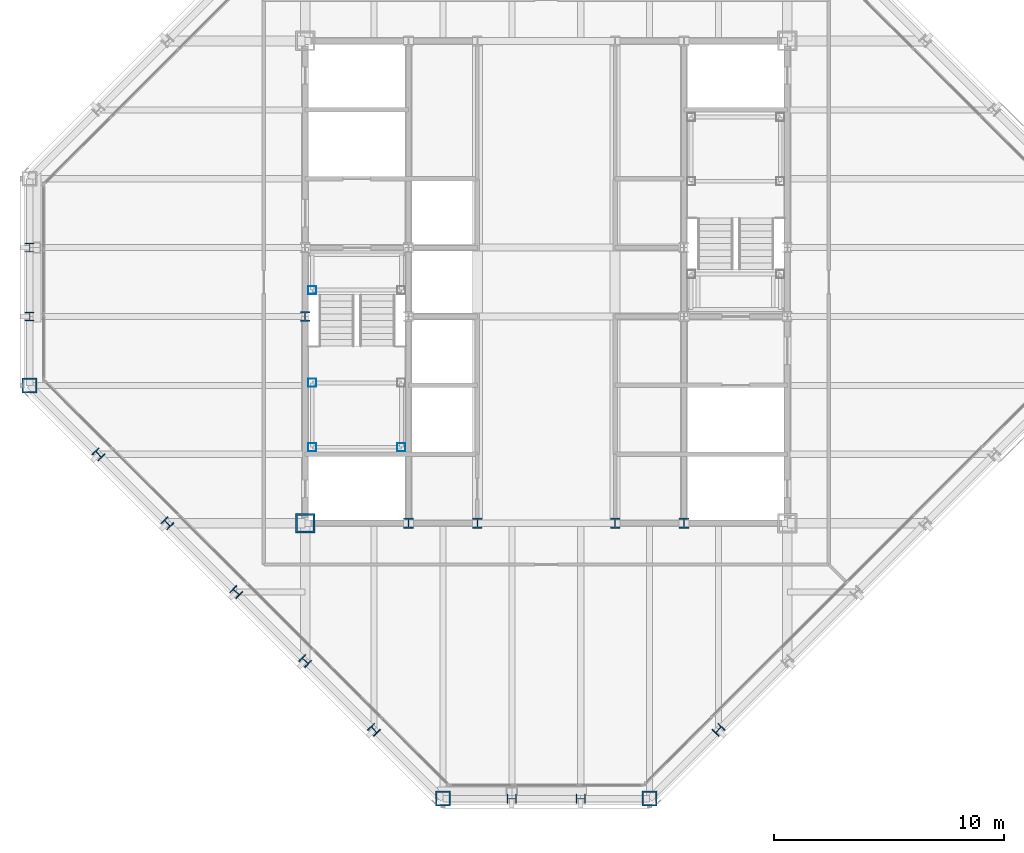
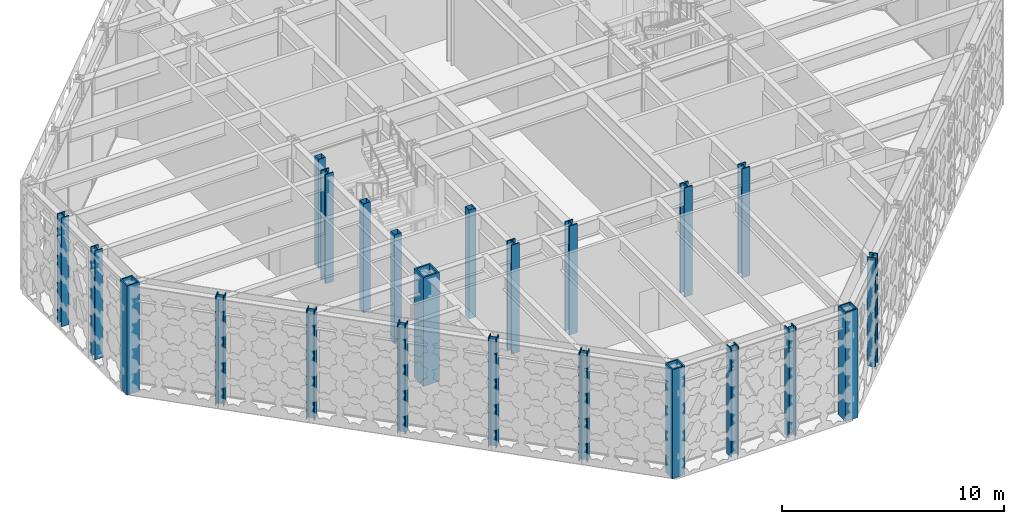
# One storey, part 1 of 28: 23 columns.
"""IFC4 building model written with IfcOpenShell, lengths in metres."""

from ifc_helpers import new_model, si_unit, direction, frame, origin, origin_2d, place, context, subcontext, project, spatial, hollow_rectangle, i_section, extrude, material, material_profile, profile_set, type_object, element, save


model = new_model("IFC4")

# Units and contexts
model_context = context("Model", 3, precision=1e-05, world=origin(), true_north=direction((0.0, 1.0)))
body_context = subcontext(model_context, "Body", "Model", "MODEL_VIEW")
ifc_project = project(units=[si_unit("LENGTHUNIT", "METRE"), si_unit("AREAUNIT", "SQUARE_METRE"), si_unit("VOLUMEUNIT", "CUBIC_METRE"), si_unit("PLANEANGLEUNIT", "RADIAN"), si_unit("MASSUNIT", "GRAM", prefix="KILO")], contexts=[model_context])

# Site, building, storey
site_placement = place(None, origin())
site = spatial("IfcSite", under=ifc_project, at=site_placement, CompositionType="ELEMENT")
building_placement = place(site_placement, origin())
building = spatial("IfcBuilding", under=site, at=building_placement, Name="Chuquiago Exchange Tower", CompositionType="ELEMENT")
storey_placement = place(building_placement, frame((0.0, 0.0, 300.0)))
storey = spatial("IfcBuildingStorey", under=building, at=storey_placement, Name="L67", CompositionType="ELEMENT", Elevation=300.0)

# Columns
ifc_material_1 = material(Name="Steel ASTM A992", Category="steel")
ifc_material_profile_1 = material_profile(ifc_material_1, i_section(OverallWidth=0.4013671875, OverallDepth=0.398681640625, WebThickness=0.02490234375, FlangeThickness=0.03955078125, at=origin_2d()), Name="W14X211")
ifc_profile_set_1 = profile_set([ifc_material_profile_1], Name="Steel ASTM A992")
column_type_1 = type_object("IfcColumnType", Name="C9 W14X211", PredefinedType="COLUMN", material=ifc_profile_set_1)
for number, where, z_axis, x_axis, name in (
    (1, (21.0, 0.0, 0.0), (0.0, 0.0, 1.0), (0.0, -1.0, 0.0), "COL-L67-21_0"),
    (2, (24.0, 0.0, 0.0), (0.0, 0.0, 1.0), (0.0, -1.0, 0.0), "COL-L67-24_0"),
    (3, (0.0, 24.0, 0.0), (0.0, 0.0, 1.0), (-1.0, 0.0, 0.0), "COL-L67-0_24"),
    (4, (0.0, 21.0, 0.0), (0.0, 0.0, 1.0), (-1.0, 0.0, 0.0), "COL-L67-0_21"),
):
    element("IfcColumn", number, at=place(storey_placement, frame(where, z_axis=z_axis, x_axis=x_axis)), inside=storey, type_object=column_type_1, Name=name, PredefinedType="COLUMN", context=body_context, shape_type="SweptSolid", body=[
        extrude(i_section(OverallWidth=0.4013671875, OverallDepth=0.398681640625, WebThickness=0.02490234375, FlangeThickness=0.03955078125, at=origin_2d()), origin(), (0.0, 0.0, 1.0), 6.0),
    ])
ifc_material_2 = material(Name="Steel ASTM A572 Grade 50", Category="steel")
ifc_material_profile_2 = material_profile(ifc_material_2, hollow_rectangle(XDim=0.85009765625, YDim=0.85009765625, WallThickness=0.0849609375, at=origin_2d()), Name="BOX850X850X85")
ifc_profile_set_2 = profile_set([ifc_material_profile_2], Name="Steel ASTM A572 Grade 50")
column_type_2 = type_object("IfcColumnType", Name="CC6 BOX850X850X85", PredefinedType="COLUMN", material=ifc_profile_set_2)
column_placement = place(storey_placement, frame((12.0, 12.0, 0.0), z_axis=(0.0, 0.0, 1.0), x_axis=(1.0, 0.0, 0.0)))
element("IfcColumn", 5, at=column_placement, inside=storey, type_object=column_type_2, Name="CCOL-L67-12_12", PredefinedType="COLUMN", context=body_context, shape_type="SweptSolid", body=[
    extrude(hollow_rectangle(XDim=0.85009765625, YDim=0.85009765625, WallThickness=0.0849609375, at=origin_2d()), origin(), (0.0, 0.0, 1.0), 6.0),
])
ifc_material_3 = material(Name="Steel ASTM A992", Category="steel")
ifc_material_profile_3 = material_profile(ifc_material_3, i_section(OverallWidth=0.41650390625, OverallDepth=0.444580078125, WebThickness=0.0390625, FlangeThickness=0.062744140625, at=origin_2d()), Name="W14X342")
ifc_profile_set_3 = profile_set([ifc_material_profile_3], Name="Steel ASTM A992")
column_type_3 = type_object("IfcColumnType", Name="CC9 W14X342", PredefinedType="COLUMN", material=ifc_profile_set_3)
for number, where, z_axis, x_axis, name in (
    (6, (16.5, 12.0, 0.0), (0.0, 0.0, 1.0), (1.0, 0.0, 0.0), "CCOL-L67-16.5_12"),
    (7, (19.5, 12.0, 0.0), (0.0, 0.0, 1.0), (1.0, 0.0, 0.0), "CCOL-L67-19.5_12"),
    (8, (25.5, 12.0, 0.0), (0.0, 0.0, 1.0), (1.0, 0.0, 0.0), "CCOL-L67-25.5_12"),
    (9, (28.5, 12.0, 0.0), (0.0, 0.0, 1.0), (1.0, 0.0, 0.0), "CCOL-L67-28.5_12"),
    (10, (12.0, 21.0, 0.0), (0.0, 0.0, 1.0), (1.0, 0.0, 0.0), "CCOL-L67-12_21"),
):
    element("IfcColumn", number, at=place(storey_placement, frame(where, z_axis=z_axis, x_axis=x_axis)), inside=storey, type_object=column_type_3, Name=name, PredefinedType="COLUMN", context=body_context, shape_type="SweptSolid", body=[
        extrude(i_section(OverallWidth=0.41650390625, OverallDepth=0.444580078125, WebThickness=0.0390625, FlangeThickness=0.062744140625, at=origin_2d()), origin(), (0.0, 0.0, 1.0), 6.0),
    ])
ifc_material_4 = material(Name="Steel ASTM A992", Category="steel")
ifc_material_profile_4 = material_profile(ifc_material_4, i_section(OverallWidth=0.40380859375, OverallDepth=0.406494140625, WebThickness=0.027099609375, FlangeThickness=0.043701171875, at=origin_2d()), Name="W14X233")
ifc_profile_set_4 = profile_set([ifc_material_profile_4], Name="Steel ASTM A992")
column_type_4 = type_object("IfcColumnType", Name="CK8 W14X233", PredefinedType="COLUMN", material=ifc_profile_set_4)
for number, where, z_axis, x_axis, name in (
    (11, (30.0, 3.0, 0.0), (0.0, 0.0, 1.0), (0.707106781187, -0.707106781187, 0.0), "COL-L67-30_3"),
    (12, (3.0, 15.0, 0.0), (0.0, 0.0, 1.0), (-0.707106781187, -0.707106781187, 0.0), "COL-L67-3_15"),
    (13, (6.0, 12.0, 0.0), (0.0, 0.0, 1.0), (-0.707106781187, -0.707106781187, 0.0), "COL-L67-6_12"),
    (14, (9.0, 9.0, 0.0), (0.0, 0.0, 1.0), (-0.707106781187, -0.707106781187, 0.0), "COL-L67-9_9"),
    (15, (12.0, 6.0, 0.0), (0.0, 0.0, 1.0), (-0.707106781187, -0.707106781187, 0.0), "COL-L67-12_6"),
    (16, (15.0, 3.0, 0.0), (0.0, 0.0, 1.0), (-0.707106781187, -0.707106781187, 0.0), "COL-L67-15_3"),
):
    element("IfcColumn", number, at=place(storey_placement, frame(where, z_axis=z_axis, x_axis=x_axis)), inside=storey, type_object=column_type_4, Name=name, PredefinedType="COLUMN", context=body_context, shape_type="SweptSolid", body=[
        extrude(i_section(OverallWidth=0.40380859375, OverallDepth=0.406494140625, WebThickness=0.027099609375, FlangeThickness=0.043701171875, at=origin_2d()), origin(), (0.0, 0.0, 1.0), 6.0),
    ])
ifc_material_5 = material(Name="Steel ASTM A572 Grade 50", Category="steel")
ifc_material_profile_5 = material_profile(ifc_material_5, hollow_rectangle(XDim=0.64990234375, YDim=0.64990234375, WallThickness=0.06494140625, at=origin_2d()), Name="BOX650X650X65")
ifc_profile_set_5 = profile_set([ifc_material_profile_5], Name="Steel ASTM A572 Grade 50")
column_type_5 = type_object("IfcColumnType", Name="CN2 BOX650X650X65", PredefinedType="COLUMN", material=ifc_profile_set_5)
for number, where, z_axis, x_axis, name in (
    (17, (18.0, 0.0, 0.0), (0.0, 0.0, 1.0), (0.0, -1.0, 0.0), "COL-L67-18_0"),
    (18, (27.0, 0.0, 0.0), (0.0, 0.0, 1.0), (0.0, -1.0, 0.0), "COL-L67-27_0"),
    (19, (0.0, 18.0, 0.0), (0.0, 0.0, 1.0), (-1.0, 0.0, 0.0), "COL-L67-0_18"),
):
    element("IfcColumn", number, at=place(storey_placement, frame(where, z_axis=z_axis, x_axis=x_axis)), inside=storey, type_object=column_type_5, Name=name, PredefinedType="COLUMN", context=body_context, shape_type="SweptSolid", body=[
        extrude(hollow_rectangle(XDim=0.64990234375, YDim=0.64990234375, WallThickness=0.06494140625, at=origin_2d()), origin(), (0.0, 0.0, 1.0), 6.0),
    ])
ifc_material_6 = material(Name="Steel ASTM A500 Grade C", Category="steel")
ifc_material_profile_6 = material_profile(ifc_material_6, hollow_rectangle(XDim=0.355712890625, YDim=0.355712890625, WallThickness=0.0087890625, at=origin_2d()), Name="HSS14X14X3/8")
ifc_profile_set_6 = profile_set([ifc_material_profile_6], Name="Steel ASTM A500 Grade C")
column_type_6 = type_object("IfcColumnType", Name="PT1 HSS14X14X3/8", PredefinedType="COLUMN", material=ifc_profile_set_6)
for number, where, z_axis, x_axis, name in (
    (20, (12.31005859375, 15.31005859375, 0.0), (0.0, 0.0, 1.0), (1.0, 0.0, 0.0), "Stair ST1 L67 landing post"),
    (21, (16.18994140625, 15.31005859375, 0.0), (0.0, 0.0, 1.0), (1.0, 0.0, 0.0), "Stair ST1 L67 landing post"),
    (22, (12.31005859375, 18.110107421875, 0.0), (0.0, 0.0, 1.0), (1.0, 0.0, 0.0), "Stair ST1 L67 landing post"),
    (23, (12.31005859375, 22.14990234375, 0.0), (0.0, 0.0, 1.0), (1.0, 0.0, 0.0), "Stair ST1 L67 landing post"),
):
    element("IfcColumn", number, at=place(storey_placement, frame(where, z_axis=z_axis, x_axis=x_axis)), inside=storey, type_object=column_type_6, Name=name, PredefinedType="COLUMN", context=body_context, shape_type="SweptSolid", body=[
        extrude(hollow_rectangle(XDim=0.355712890625, YDim=0.355712890625, WallThickness=0.0087890625, at=origin_2d()), origin(), (0.0, 0.0, 1.0), 6.0),
    ])

save(model, "model.ifc")
